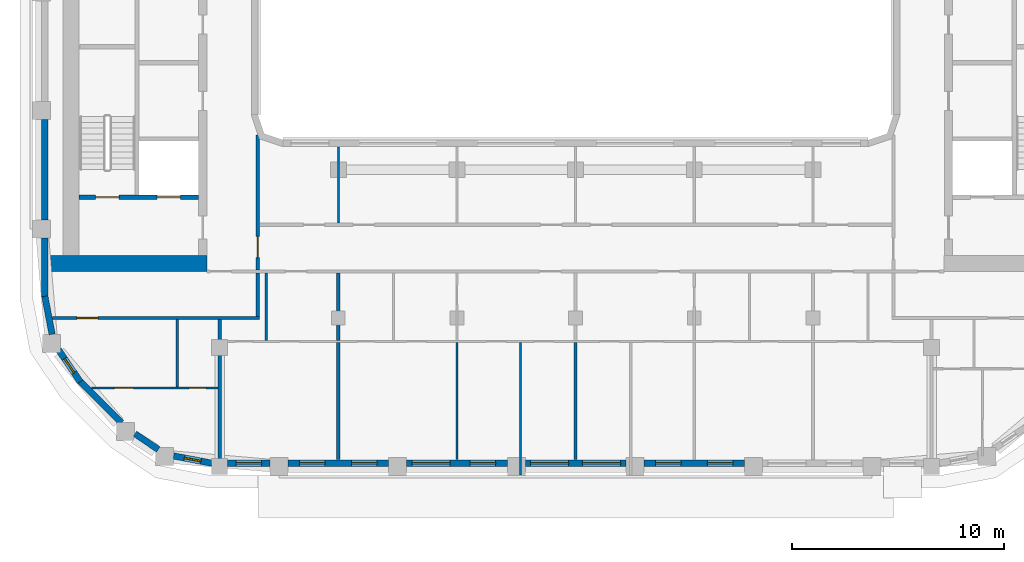
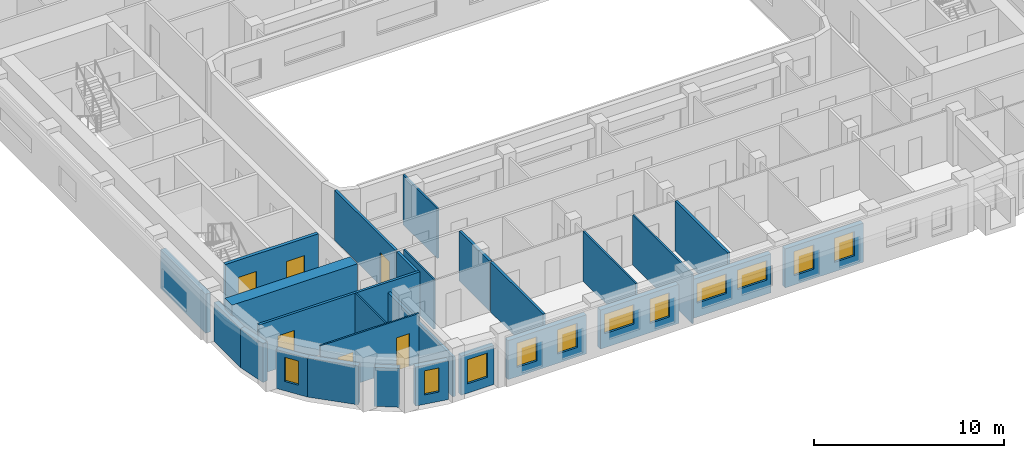
# One storey, part 2 of 21: 27 walls, 11 windows, 6 doors, 17 openings.
"""IFC4 building model written with IfcOpenShell, lengths in metres."""

from ifc_helpers import new_model, si_unit, direction, frame, frame_2d, origin, place, context, subcontext, project, spatial, rectangle, extrude, material, layer, layer_set, type_object, element, fill, save


model = new_model("IFC4")

# Units and contexts
model_context = context("Model", 3, precision=1e-05, world=origin(), true_north=direction((0.0, 1.0)))
body_context = subcontext(model_context, "Body", "Model", "MODEL_VIEW")
ifc_project = project(units=[si_unit("LENGTHUNIT", "METRE"), si_unit("AREAUNIT", "SQUARE_METRE"), si_unit("VOLUMEUNIT", "CUBIC_METRE"), si_unit("PLANEANGLEUNIT", "RADIAN"), si_unit("MASSUNIT", "GRAM", prefix="KILO")], contexts=[model_context])

# Site, building, storey
site_placement = place(None, origin())
site = spatial("IfcSite", under=ifc_project, at=site_placement, CompositionType="ELEMENT")
building_placement = place(site_placement, origin())
building = spatial("IfcBuilding", under=site, at=building_placement, Name="Kiln Ring Residences", CompositionType="ELEMENT")
storey_placement = place(building_placement, frame((0.0, 0.0, 216.89990234375)))
storey = spatial("IfcBuildingStorey", under=building, at=storey_placement, Name="L56", CompositionType="ELEMENT", Elevation=216.89990234375)

# Wall, openings, doors
ifc_material_1 = material(Name="Concrete C40/50", Category="concrete")
ifc_layer_1 = layer(ifc_material_1, 0.199951171875)
ifc_layer_set_1 = layer_set([ifc_layer_1], Name="CORE-WALL-RC200")
wall_type_1 = type_object("IfcWallType", Name="CORE-WALL-RC200", PredefinedType="SHEAR", material=ifc_layer_set_1)
wall_1_placement = place(storey_placement, frame((-17.800048828125, -9.699951171875, 0.0), z_axis=(0.0, 0.0, 1.0), x_axis=(-1.0, 0.0, 0.0)))
wall_1 = element("IfcWall", 1, at=wall_1_placement, inside=storey, type_object=wall_type_1, Name="Core wall west L56 8", PredefinedType="SHEAR", context=body_context, shape_type="SweptSolid", body=[
    extrude(rectangle(XDim=5.64990234375, YDim=0.199951171875, at=frame_2d((2.824951171875, 0.0))), origin(), (0.0, 0.0, 1.0), 3.2001953125),
])
opening_1_placement = place(wall_1_placement, frame((0.85009765625, 0.0, 0.0)))
opening_1 = element("IfcOpeningElement", 2, at=opening_1_placement, cuts=wall_1, Name="Opening L56-CW01", PredefinedType="OPENING", context=body_context, shape_type="SweptSolid", body=[
    extrude(rectangle(XDim=1.10009765625, YDim=2.10009765625, at=frame_2d((0.550048828125, 1.050048828125))), frame((0.0, 0.10986328125, 0.0), z_axis=(0.0, -1.0, 0.0), x_axis=(1.0, 0.0, 0.0)), (0.0, 0.0, 1.0), 0.219970703125),
])
opening_2_placement = place(wall_1_placement, frame((3.75, 0.0, 0.0)))
opening_2 = element("IfcOpeningElement", 3, at=opening_2_placement, cuts=wall_1, Name="Opening L56-CW10", PredefinedType="OPENING", context=body_context, shape_type="SweptSolid", body=[
    extrude(rectangle(XDim=1.10009765625, YDim=2.10009765625, at=frame_2d((0.550048828125, 1.050048828125))), frame((0.0, 0.10986328125, 0.0), z_axis=(0.0, -1.0, 0.0), x_axis=(1.0, 0.0, 0.0)), (0.0, 0.0, 1.0), 0.219970703125),
])
ifc_material_2 = material(Name="Steel door leaf", Category="steel")
door_type_1 = type_object("IfcDoorType", Name="CORE-DOOR-LD", OperationType="DOUBLE_DOOR_SLIDING", PredefinedType="DOOR", material=ifc_material_2)
door_1_placement = place(opening_1_placement, origin())
door_1 = element("IfcDoor", 4, at=door_1_placement, inside=storey, type_object=door_type_1, Name="LD W-SV L56-CW01", OperationType="DOUBLE_DOOR_SLIDING", OverallHeight=2.10009765625, OverallWidth=1.10009765625, PredefinedType="DOOR", context=body_context, shape_type="SweptSolid", body=[
    extrude(rectangle(XDim=1.10009765625, YDim=2.10009765625, at=frame_2d((0.550048828125, 1.050048828125))), frame((0.0, 0.02490234375, 0.0), z_axis=(0.0, -1.0, 0.0), x_axis=(1.0, 0.0, 0.0)), (0.0, 0.0, 1.0), 0.050048828125),
])
fill(opening_1, door_1)
ifc_material_3 = material(Name="Steel door leaf", Category="steel")
door_type_2 = type_object("IfcDoorType", Name="CORE-DOOR-STAIR", OperationType="SINGLE_SWING_LEFT", PredefinedType="DOOR", material=ifc_material_3)
door_2_placement = place(opening_2_placement, origin())
door_2 = element("IfcDoor", 5, at=door_2_placement, inside=storey, type_object=door_type_2, Name="Stair W-STS L56-CW10", OperationType="SINGLE_SWING_LEFT", OverallHeight=2.10009765625, OverallWidth=1.10009765625, PredefinedType="DOOR", context=body_context, shape_type="SweptSolid", body=[
    extrude(rectangle(XDim=1.10009765625, YDim=2.10009765625, at=frame_2d((0.550048828125, 1.050048828125))), frame((0.0, 0.02490234375, 0.0), z_axis=(0.0, -1.0, 0.0), x_axis=(1.0, 0.0, 0.0)), (0.0, 0.0, 1.0), 0.050048828125),
])
fill(opening_2, door_2)

# Walls
ifc_material_4 = material(Name="Concrete C60/75", Category="concrete")
ifc_layer_2 = layer(ifc_material_4, 0.75)
ifc_layer_set_2 = layer_set([ifc_layer_2], Name="CORE-WALL-RC750")
wall_type_2 = type_object("IfcWallType", Name="CORE-WALL-RC750", PredefinedType="SHEAR", material=ifc_layer_set_2)
wall_2_placement = place(storey_placement, frame((-17.39990234375, -12.824951171875, 0.0), z_axis=(0.0, 0.0, 1.0), x_axis=(-1.0, 0.0, 0.0)))
element("IfcWall", 6, at=wall_2_placement, inside=storey, type_object=wall_type_2, Name="Core wall west L56 5", PredefinedType="SHEAR", context=body_context, shape_type="SweptSolid", body=[
    extrude(rectangle(XDim=7.60009765625, YDim=0.75, at=frame_2d((3.800048828125, 0.0))), origin(), (0.0, 0.0, 1.0), 3.2001953125),
])
ifc_material_5 = material(Name="Brick masonry, dark clay brick", Category="masonry")
ifc_layer_3 = layer(ifc_material_5, 0.300048828125)
ifc_layer_set_3 = layer_set([ifc_layer_3], Name="EW-300 BRICK WALL")
wall_type_3 = type_object("IfcWallType", Name="EW-300 BRICK WALL", PredefinedType="SOLIDWALL", material=ifc_layer_set_3)
wall_3_placement = place(storey_placement, frame((-23.39697265625, -18.390869140625, 0.0), z_axis=(0.0, 0.0, 1.0), x_axis=(0.707106781187, -0.707106781187, 0.0)))
element("IfcWall", 7, at=wall_3_placement, inside=storey, type_object=wall_type_3, Name="Facade wall L56 1", PredefinedType="SOLIDWALL", context=body_context, shape_type="SweptSolid", body=[
    extrude(rectangle(XDim=2.775146484375, YDim=0.300048828125, at=frame_2d((1.3876953125, 0.0))), origin(), (0.0, 0.0, 1.0), 2.5),
])
wall_4_placement = place(storey_placement, frame((-20.7958984375, -20.862060546875, 0.0), z_axis=(0.0, 0.0, 1.0), x_axis=(0.827035970432, -0.562149004813, 0.0)))
element("IfcWall", 8, at=wall_4_placement, inside=storey, type_object=wall_type_3, Name="Facade wall L56 2", PredefinedType="SOLIDWALL", context=body_context, shape_type="SweptSolid", body=[
    extrude(rectangle(XDim=1.3271484375, YDim=0.300048828125, at=frame_2d((0.66357421875, 0.0))), origin(), (0.0, 0.0, 1.0), 2.5),
])

# Wall, opening, window
wall_5_placement = place(storey_placement, frame((-18.970703125, -21.90966796875, 0.0), z_axis=(0.0, 0.0, 1.0), x_axis=(0.982300037503, -0.187314271538, 0.0)))
wall_5 = element("IfcWall", 9, at=wall_5_placement, inside=storey, type_object=wall_type_3, Name="Facade wall L56 3", PredefinedType="SOLIDWALL", context=body_context, shape_type="SweptSolid", body=[
    extrude(rectangle(XDim=1.831298828125, YDim=0.300048828125, at=frame_2d((0.91552734375, 0.0))), origin(), (0.0, 0.0, 1.0), 2.5),
])
opening_3_placement = place(wall_5_placement, frame((0.515625, 0.0, 0.60009765625)))
opening_3 = element("IfcOpeningElement", 10, at=opening_3_placement, cuts=wall_5, Name="Opening W5", PredefinedType="OPENING", context=body_context, shape_type="SweptSolid", body=[
    extrude(rectangle(XDim=0.800048828125, YDim=1.550048828125, at=frame_2d((0.39990234375, 0.77490234375))), frame((0.0, 0.159912109375, 0.0), z_axis=(0.0, -1.0, 0.0), x_axis=(1.0, 0.0, 0.0)), (0.0, 0.0, 1.0), 0.320068359375),
])
ifc_material_6 = material(Name="Aluminium frame with double glazing", Category="aluminium")
window_type_1 = type_object("IfcWindowType", Name="WINDOW 800 x 1550", PartitioningType="SINGLE_PANEL", PredefinedType="WINDOW", material=ifc_material_6)
window_1_placement = place(opening_3_placement, origin())
window_1 = element("IfcWindow", 11, at=window_1_placement, inside=storey, type_object=window_type_1, Name="Window L56 1", OverallHeight=1.550048828125, OverallWidth=0.800048828125, PartitioningType="SINGLE_PANEL", PredefinedType="WINDOW", context=body_context, shape_type="SweptSolid", body=[
    extrude(rectangle(XDim=0.800048828125, YDim=1.550048828125, at=frame_2d((0.39990234375, 0.77490234375))), frame((0.0, 0.030029296875, 0.0), z_axis=(0.0, -1.0, 0.0), x_axis=(1.0, 0.0, 0.0)), (0.0, 0.0, 1.0), 0.06005859375),
])
fill(opening_3, window_1)

wall_6_placement = place(storey_placement, frame((-16.425048828125, -22.25, 0.0), z_axis=(0.0, 0.0, 1.0), x_axis=(1.0, 0.0, 0.0)))
wall_6 = element("IfcWall", 12, at=wall_6_placement, inside=storey, type_object=wall_type_3, Name="Facade wall L56 4", PredefinedType="SOLIDWALL", context=body_context, shape_type="SweptSolid", body=[
    extrude(rectangle(XDim=2.0, YDim=0.300048828125, at=frame_2d((1.0, 0.0))), origin(), (0.0, 0.0, 1.0), 2.5),
])
opening_4_placement = place(wall_6_placement, frame((0.39990234375, 0.0, 0.60009765625)))
opening_4 = element("IfcOpeningElement", 13, at=opening_4_placement, cuts=wall_6, Name="Opening W1", PredefinedType="OPENING", context=body_context, shape_type="SweptSolid", body=[
    extrude(rectangle(XDim=1.199951171875, YDim=1.550048828125, at=frame_2d((0.60009765625, 0.77490234375))), frame((0.0, 0.159912109375, 0.0), z_axis=(0.0, -1.0, 0.0), x_axis=(1.0, 0.0, 0.0)), (0.0, 0.0, 1.0), 0.320068359375),
])
ifc_material_7 = material(Name="Aluminium frame with double glazing", Category="aluminium")
window_type_2 = type_object("IfcWindowType", Name="WINDOW 1200 x 1550", PartitioningType="SINGLE_PANEL", PredefinedType="WINDOW", material=ifc_material_7)
window_2_placement = place(opening_4_placement, origin())
window_2 = element("IfcWindow", 14, at=window_2_placement, inside=storey, type_object=window_type_2, Name="Window L56 2", OverallHeight=1.550048828125, OverallWidth=1.199951171875, PartitioningType="SINGLE_PANEL", PredefinedType="WINDOW", context=body_context, shape_type="SweptSolid", body=[
    extrude(rectangle(XDim=1.199951171875, YDim=1.550048828125, at=frame_2d((0.60009765625, 0.77490234375))), frame((0.0, 0.030029296875, 0.0), z_axis=(0.0, -1.0, 0.0), x_axis=(1.0, 0.0, 0.0)), (0.0, 0.0, 1.0), 0.06005859375),
])
fill(opening_4, window_2)

# Wall, openings, windows
wall_7_placement = place(storey_placement, frame((-13.574951171875, -22.25, 0.0), z_axis=(0.0, 0.0, 1.0), x_axis=(1.0, 0.0, 0.0)))
wall_7 = element("IfcWall", 15, at=wall_7_placement, inside=storey, type_object=wall_type_3, Name="Facade wall L56 5", PredefinedType="SOLIDWALL", context=body_context, shape_type="SweptSolid", body=[
    extrude(rectangle(XDim=4.75, YDim=0.300048828125, at=frame_2d((2.375, 0.0))), origin(), (0.0, 0.0, 1.0), 2.5),
])
opening_5_placement = place(wall_7_placement, frame((0.550048828125, 0.0, 0.60009765625)))
opening_5 = element("IfcOpeningElement", 16, at=opening_5_placement, cuts=wall_7, Name="Opening W1", PredefinedType="OPENING", context=body_context, shape_type="SweptSolid", body=[
    extrude(rectangle(XDim=1.199951171875, YDim=1.550048828125, at=frame_2d((0.60009765625, 0.77490234375))), frame((0.0, 0.159912109375, 0.0), z_axis=(0.0, -1.0, 0.0), x_axis=(1.0, 0.0, 0.0)), (0.0, 0.0, 1.0), 0.320068359375),
])
opening_6_placement = place(wall_7_placement, frame((3.0, 0.0, 0.60009765625)))
opening_6 = element("IfcOpeningElement", 17, at=opening_6_placement, cuts=wall_7, Name="Opening W1", PredefinedType="OPENING", context=body_context, shape_type="SweptSolid", body=[
    extrude(rectangle(XDim=1.199951171875, YDim=1.550048828125, at=frame_2d((0.60009765625, 0.77490234375))), frame((0.0, 0.159912109375, 0.0), z_axis=(0.0, -1.0, 0.0), x_axis=(1.0, 0.0, 0.0)), (0.0, 0.0, 1.0), 0.320068359375),
])
window_3_placement = place(opening_5_placement, origin())
window_3 = element("IfcWindow", 18, at=window_3_placement, inside=storey, type_object=window_type_2, Name="Window L56 3", OverallHeight=1.550048828125, OverallWidth=1.199951171875, PartitioningType="SINGLE_PANEL", PredefinedType="WINDOW", context=body_context, shape_type="SweptSolid", body=[
    extrude(rectangle(XDim=1.199951171875, YDim=1.550048828125, at=frame_2d((0.60009765625, 0.77490234375))), frame((0.0, 0.030029296875, 0.0), z_axis=(0.0, -1.0, 0.0), x_axis=(1.0, 0.0, 0.0)), (0.0, 0.0, 1.0), 0.06005859375),
])
fill(opening_5, window_3)
window_4_placement = place(opening_6_placement, origin())
window_4 = element("IfcWindow", 19, at=window_4_placement, inside=storey, type_object=window_type_2, Name="Window L56 4", OverallHeight=1.550048828125, OverallWidth=1.199951171875, PartitioningType="SINGLE_PANEL", PredefinedType="WINDOW", context=body_context, shape_type="SweptSolid", body=[
    extrude(rectangle(XDim=1.199951171875, YDim=1.550048828125, at=frame_2d((0.60009765625, 0.77490234375))), frame((0.0, 0.030029296875, 0.0), z_axis=(0.0, -1.0, 0.0), x_axis=(1.0, 0.0, 0.0)), (0.0, 0.0, 1.0), 0.06005859375),
])
fill(opening_6, window_4)

wall_8_placement = place(storey_placement, frame((-7.97509765625, -22.25, 0.0), z_axis=(0.0, 0.0, 1.0), x_axis=(1.0, 0.0, 0.0)))
wall_8 = element("IfcWall", 20, at=wall_8_placement, inside=storey, type_object=wall_type_3, Name="Facade wall L56 6", PredefinedType="SOLIDWALL", context=body_context, shape_type="SweptSolid", body=[
    extrude(rectangle(XDim=4.75, YDim=0.300048828125, at=frame_2d((2.375, 0.0))), origin(), (0.0, 0.0, 1.0), 2.5),
])
opening_7_placement = place(wall_8_placement, frame((0.25, 0.0, 0.89990234375)))
opening_7 = element("IfcOpeningElement", 21, at=opening_7_placement, cuts=wall_8, Name="Opening W2", PredefinedType="OPENING", context=body_context, shape_type="SweptSolid", body=[
    extrude(rectangle(XDim=1.800048828125, YDim=1.25, at=frame_2d((0.89990234375, 0.625))), frame((0.0, 0.159912109375, 0.0), z_axis=(0.0, -1.0, 0.0), x_axis=(1.0, 0.0, 0.0)), (0.0, 0.0, 1.0), 0.320068359375),
])
opening_8_placement = place(wall_8_placement, frame((3.0, 0.0, 0.60009765625)))
opening_8 = element("IfcOpeningElement", 22, at=opening_8_placement, cuts=wall_8, Name="Opening W1", PredefinedType="OPENING", context=body_context, shape_type="SweptSolid", body=[
    extrude(rectangle(XDim=1.199951171875, YDim=1.550048828125, at=frame_2d((0.60009765625, 0.77490234375))), frame((0.0, 0.159912109375, 0.0), z_axis=(0.0, -1.0, 0.0), x_axis=(1.0, 0.0, 0.0)), (0.0, 0.0, 1.0), 0.320068359375),
])
window_5_placement = place(opening_8_placement, origin())
window_5 = element("IfcWindow", 23, at=window_5_placement, inside=storey, type_object=window_type_2, Name="Window L56 6", OverallHeight=1.550048828125, OverallWidth=1.199951171875, PartitioningType="SINGLE_PANEL", PredefinedType="WINDOW", context=body_context, shape_type="SweptSolid", body=[
    extrude(rectangle(XDim=1.199951171875, YDim=1.550048828125, at=frame_2d((0.60009765625, 0.77490234375))), frame((0.0, 0.030029296875, 0.0), z_axis=(0.0, -1.0, 0.0), x_axis=(1.0, 0.0, 0.0)), (0.0, 0.0, 1.0), 0.06005859375),
])
fill(opening_8, window_5)
ifc_material_8 = material(Name="Aluminium frame with double glazing", Category="aluminium")
window_type_3 = type_object("IfcWindowType", Name="WINDOW 1800 x 1250", PartitioningType="SINGLE_PANEL", PredefinedType="WINDOW", material=ifc_material_8)
window_6_placement = place(opening_7_placement, origin())
window_6 = element("IfcWindow", 24, at=window_6_placement, inside=storey, type_object=window_type_3, Name="Window L56 5", OverallHeight=1.25, OverallWidth=1.800048828125, PartitioningType="SINGLE_PANEL", PredefinedType="WINDOW", context=body_context, shape_type="SweptSolid", body=[
    extrude(rectangle(XDim=1.800048828125, YDim=1.25, at=frame_2d((0.89990234375, 0.625))), frame((0.0, 0.030029296875, 0.0), z_axis=(0.0, -1.0, 0.0), x_axis=(1.0, 0.0, 0.0)), (0.0, 0.0, 1.0), 0.06005859375),
])
fill(opening_7, window_6)

wall_9_placement = place(storey_placement, frame((-2.375, -22.25, 0.0), z_axis=(0.0, 0.0, 1.0), x_axis=(1.0, 0.0, 0.0)))
wall_9 = element("IfcWall", 25, at=wall_9_placement, inside=storey, type_object=wall_type_3, Name="Facade wall L56 7", PredefinedType="SOLIDWALL", context=body_context, shape_type="SweptSolid", body=[
    extrude(rectangle(XDim=4.75, YDim=0.300048828125, at=frame_2d((2.375, 0.0))), origin(), (0.0, 0.0, 1.0), 2.5),
])
opening_9_placement = place(wall_9_placement, frame((0.25, 0.0, 0.89990234375)))
opening_9 = element("IfcOpeningElement", 26, at=opening_9_placement, cuts=wall_9, Name="Opening W2", PredefinedType="OPENING", context=body_context, shape_type="SweptSolid", body=[
    extrude(rectangle(XDim=1.800048828125, YDim=1.25, at=frame_2d((0.89990234375, 0.625))), frame((0.0, 0.159912109375, 0.0), z_axis=(0.0, -1.0, 0.0), x_axis=(1.0, 0.0, 0.0)), (0.0, 0.0, 1.0), 0.320068359375),
])
opening_10_placement = place(wall_9_placement, frame((2.699951171875, 0.0, 0.89990234375)))
opening_10 = element("IfcOpeningElement", 27, at=opening_10_placement, cuts=wall_9, Name="Opening W2", PredefinedType="OPENING", context=body_context, shape_type="SweptSolid", body=[
    extrude(rectangle(XDim=1.800048828125, YDim=1.25, at=frame_2d((0.89990234375, 0.625))), frame((0.0, 0.159912109375, 0.0), z_axis=(0.0, -1.0, 0.0), x_axis=(1.0, 0.0, 0.0)), (0.0, 0.0, 1.0), 0.320068359375),
])
window_7_placement = place(opening_9_placement, origin())
window_7 = element("IfcWindow", 28, at=window_7_placement, inside=storey, type_object=window_type_3, Name="Window L56 7", OverallHeight=1.25, OverallWidth=1.800048828125, PartitioningType="SINGLE_PANEL", PredefinedType="WINDOW", context=body_context, shape_type="SweptSolid", body=[
    extrude(rectangle(XDim=1.800048828125, YDim=1.25, at=frame_2d((0.89990234375, 0.625))), frame((0.0, 0.030029296875, 0.0), z_axis=(0.0, -1.0, 0.0), x_axis=(1.0, 0.0, 0.0)), (0.0, 0.0, 1.0), 0.06005859375),
])
fill(opening_9, window_7)
window_8_placement = place(opening_10_placement, origin())
window_8 = element("IfcWindow", 29, at=window_8_placement, inside=storey, type_object=window_type_3, Name="Window L56 8", OverallHeight=1.25, OverallWidth=1.800048828125, PartitioningType="SINGLE_PANEL", PredefinedType="WINDOW", context=body_context, shape_type="SweptSolid", body=[
    extrude(rectangle(XDim=1.800048828125, YDim=1.25, at=frame_2d((0.89990234375, 0.625))), frame((0.0, 0.030029296875, 0.0), z_axis=(0.0, -1.0, 0.0), x_axis=(1.0, 0.0, 0.0)), (0.0, 0.0, 1.0), 0.06005859375),
])
fill(opening_10, window_8)

wall_10_placement = place(storey_placement, frame((3.22509765625, -22.25, 0.0), z_axis=(0.0, 0.0, 1.0), x_axis=(1.0, 0.0, 0.0)))
wall_10 = element("IfcWall", 30, at=wall_10_placement, inside=storey, type_object=wall_type_3, Name="Facade wall L56 8", PredefinedType="SOLIDWALL", context=body_context, shape_type="SweptSolid", body=[
    extrude(rectangle(XDim=4.75, YDim=0.300048828125, at=frame_2d((2.375, 0.0))), origin(), (0.0, 0.0, 1.0), 2.5),
])
opening_11_placement = place(wall_10_placement, frame((0.550048828125, 0.0, 0.60009765625)))
opening_11 = element("IfcOpeningElement", 31, at=opening_11_placement, cuts=wall_10, Name="Opening W1", PredefinedType="OPENING", context=body_context, shape_type="SweptSolid", body=[
    extrude(rectangle(XDim=1.199951171875, YDim=1.550048828125, at=frame_2d((0.60009765625, 0.77490234375))), frame((0.0, 0.159912109375, 0.0), z_axis=(0.0, -1.0, 0.0), x_axis=(1.0, 0.0, 0.0)), (0.0, 0.0, 1.0), 0.320068359375),
])
opening_12_placement = place(wall_10_placement, frame((3.0, 0.0, 0.60009765625)))
opening_12 = element("IfcOpeningElement", 32, at=opening_12_placement, cuts=wall_10, Name="Opening W1", PredefinedType="OPENING", context=body_context, shape_type="SweptSolid", body=[
    extrude(rectangle(XDim=1.199951171875, YDim=1.550048828125, at=frame_2d((0.60009765625, 0.77490234375))), frame((0.0, 0.159912109375, 0.0), z_axis=(0.0, -1.0, 0.0), x_axis=(1.0, 0.0, 0.0)), (0.0, 0.0, 1.0), 0.320068359375),
])
window_9_placement = place(opening_11_placement, origin())
window_9 = element("IfcWindow", 33, at=window_9_placement, inside=storey, type_object=window_type_2, Name="Window L56 9", OverallHeight=1.550048828125, OverallWidth=1.199951171875, PartitioningType="SINGLE_PANEL", PredefinedType="WINDOW", context=body_context, shape_type="SweptSolid", body=[
    extrude(rectangle(XDim=1.199951171875, YDim=1.550048828125, at=frame_2d((0.60009765625, 0.77490234375))), frame((0.0, 0.030029296875, 0.0), z_axis=(0.0, -1.0, 0.0), x_axis=(1.0, 0.0, 0.0)), (0.0, 0.0, 1.0), 0.06005859375),
])
fill(opening_11, window_9)
window_10_placement = place(opening_12_placement, origin())
window_10 = element("IfcWindow", 34, at=window_10_placement, inside=storey, type_object=window_type_2, Name="Window L56 10", OverallHeight=1.550048828125, OverallWidth=1.199951171875, PartitioningType="SINGLE_PANEL", PredefinedType="WINDOW", context=body_context, shape_type="SweptSolid", body=[
    extrude(rectangle(XDim=1.199951171875, YDim=1.550048828125, at=frame_2d((0.60009765625, 0.77490234375))), frame((0.0, 0.030029296875, 0.0), z_axis=(0.0, -1.0, 0.0), x_axis=(1.0, 0.0, 0.0)), (0.0, 0.0, 1.0), 0.06005859375),
])
fill(opening_12, window_10)

# Walls
wall_11_placement = place(storey_placement, frame((-25.050048828125, -6.02490234375, 0.0), z_axis=(0.0, 0.0, 1.0), x_axis=(0.0, -1.0, 0.0)))
element("IfcWall", 35, at=wall_11_placement, inside=storey, type_object=wall_type_3, Name="Facade wall L56 43", PredefinedType="SOLIDWALL", context=body_context, shape_type="SweptSolid", body=[
    extrude(rectangle(XDim=4.75, YDim=0.300048828125, at=frame_2d((2.375, 0.0))), origin(), (0.0, 0.0, 1.0), 2.5),
])
wall_12_placement = place(storey_placement, frame((-25.050048828125, -11.625, 0.0), z_axis=(0.0, 0.0, 1.0), x_axis=(0.0, -1.0, 0.0)))
element("IfcWall", 36, at=wall_12_placement, inside=storey, type_object=wall_type_3, Name="Facade wall L56 44", PredefinedType="SOLIDWALL", context=body_context, shape_type="SweptSolid", body=[
    extrude(rectangle(XDim=2.77490234375, YDim=0.300048828125, at=frame_2d((1.387451171875, 0.0))), origin(), (0.0, 0.0, 1.0), 2.5),
])
wall_13_placement = place(storey_placement, frame((-25.052734375, -14.371826171875, 0.0), z_axis=(0.0, 0.0, 1.0), x_axis=(0.187442908742, -0.982275499014, 0.0)))
element("IfcWall", 37, at=wall_13_placement, inside=storey, type_object=wall_type_3, Name="Facade wall L56 45", PredefinedType="SOLIDWALL", context=body_context, shape_type="SweptSolid", body=[
    extrude(rectangle(XDim=1.831298828125, YDim=0.300048828125, at=frame_2d((0.91552734375, 0.0))), origin(), (0.0, 0.0, 1.0), 2.5),
])

# Wall, opening, window
wall_14_placement = place(storey_placement, frame((-24.408203125, -16.898193359375, 0.0), z_axis=(0.0, 0.0, 1.0), x_axis=(0.562062033417, -0.827095079535, 0.0)))
wall_14 = element("IfcWall", 38, at=wall_14_placement, inside=storey, type_object=wall_type_3, Name="Facade wall L56 46", PredefinedType="SOLIDWALL", context=body_context, shape_type="SweptSolid", body=[
    extrude(rectangle(XDim=1.831298828125, YDim=0.300048828125, at=frame_2d((0.91552734375, 0.0))), origin(), (0.0, 0.0, 1.0), 2.5),
])
opening_13_placement = place(wall_14_placement, frame((0.515625, 0.0, 0.60009765625)))
opening_13 = element("IfcOpeningElement", 39, at=opening_13_placement, cuts=wall_14, Name="Opening W5", PredefinedType="OPENING", context=body_context, shape_type="SweptSolid", body=[
    extrude(rectangle(XDim=0.800048828125, YDim=1.550048828125, at=frame_2d((0.39990234375, 0.77490234375))), frame((0.0, 0.159912109375, 0.0), z_axis=(0.0, -1.0, 0.0), x_axis=(1.0, 0.0, 0.0)), (0.0, 0.0, 1.0), 0.320068359375),
])
window_11_placement = place(opening_13_placement, origin())
window_11 = element("IfcWindow", 40, at=window_11_placement, inside=storey, type_object=window_type_1, Name="Window L56 34", OverallHeight=1.550048828125, OverallWidth=0.800048828125, PartitioningType="SINGLE_PANEL", PredefinedType="WINDOW", context=body_context, shape_type="SweptSolid", body=[
    extrude(rectangle(XDim=0.800048828125, YDim=1.550048828125, at=frame_2d((0.39990234375, 0.77490234375))), frame((0.0, 0.030029296875, 0.0), z_axis=(0.0, -1.0, 0.0), x_axis=(1.0, 0.0, 0.0)), (0.0, 0.0, 1.0), 0.06005859375),
])
fill(opening_13, window_11)

# Wall, openings, doors
ifc_material_9 = material(Name="Gypsum board on steel studs", Category="steel")
ifc_layer_4 = layer(ifc_material_9, 0.10009765625)
ifc_layer_set_4 = layer_set([ifc_layer_4], Name="PARTITION-100")
wall_type_4 = type_object("IfcWallType", Name="PARTITION-100", PredefinedType="PARTITIONING", material=ifc_layer_set_4)
wall_15_placement = place(storey_placement, frame((-22.855712890625, -18.699951171875, 0.0), z_axis=(0.0, 0.0, 1.0), x_axis=(1.0, 0.0, 0.0)))
wall_15 = element("IfcWall", 41, at=wall_15_placement, inside=storey, type_object=wall_type_4, Name="Partition 000", PredefinedType="PARTITIONING", context=body_context, shape_type="SweptSolid", body=[
    extrude(rectangle(XDim=5.980712890625, YDim=0.10009765625, at=frame_2d((2.990234375, 0.0))), origin(), (0.0, 0.0, 1.0), 3.2001953125),
])
opening_14_placement = place(wall_15_placement, frame((4.605712890625, 0.0, 0.0)))
opening_14 = element("IfcOpeningElement", 42, at=opening_14_placement, cuts=wall_15, Name="Opening L56-D066", PredefinedType="OPENING", context=body_context, shape_type="SweptSolid", body=[
    extrude(rectangle(XDim=0.800048828125, YDim=2.10009765625, at=frame_2d((0.39990234375, 1.050048828125))), frame((0.0, 0.06005859375, 0.0), z_axis=(0.0, -1.0, 0.0), x_axis=(1.0, 0.0, 0.0)), (0.0, 0.0, 1.0), 0.1201171875),
])
opening_15_placement = place(wall_15_placement, frame((1.083740234375, 0.0, 0.0)))
opening_15 = element("IfcOpeningElement", 43, at=opening_15_placement, cuts=wall_15, Name="Opening L56-D067", PredefinedType="OPENING", context=body_context, shape_type="SweptSolid", body=[
    extrude(rectangle(XDim=0.89990234375, YDim=2.10009765625, at=frame_2d((0.449951171875, 1.050048828125))), frame((0.0, 0.06005859375, 0.0), z_axis=(0.0, -1.0, 0.0), x_axis=(1.0, 0.0, 0.0)), (0.0, 0.0, 1.0), 0.1201171875),
])
ifc_material_10 = material(Name="Timber door leaf", Category="wood")
door_type_3 = type_object("IfcDoorType", Name="FLAT-DOOR-800-PL", OperationType="SINGLE_SWING_LEFT", PredefinedType="DOOR", material=ifc_material_10)
door_3_placement = place(opening_14_placement, origin())
door_3 = element("IfcDoor", 44, at=door_3_placement, inside=storey, type_object=door_type_3, Name="Door L56-D066", OperationType="SINGLE_SWING_RIGHT", OverallHeight=2.10009765625, OverallWidth=0.800048828125, PredefinedType="DOOR", context=body_context, shape_type="SweptSolid", body=[
    extrude(rectangle(XDim=0.800048828125, YDim=2.10009765625, at=frame_2d((0.39990234375, 1.050048828125))), frame((0.0, 0.02490234375, 0.0), z_axis=(0.0, -1.0, 0.0), x_axis=(1.0, 0.0, 0.0)), (0.0, 0.0, 1.0), 0.050048828125),
])
fill(opening_14, door_3)
ifc_material_11 = material(Name="Timber door leaf", Category="wood")
door_type_4 = type_object("IfcDoorType", Name="FLAT-DOOR-900-PL", OperationType="SINGLE_SWING_LEFT", PredefinedType="DOOR", material=ifc_material_11)
door_4_placement = place(opening_15_placement, origin())
door_4 = element("IfcDoor", 45, at=door_4_placement, inside=storey, type_object=door_type_4, Name="Door L56-D067", OperationType="SINGLE_SWING_LEFT", OverallHeight=2.10009765625, OverallWidth=0.89990234375, PredefinedType="DOOR", context=body_context, shape_type="SweptSolid", body=[
    extrude(rectangle(XDim=0.89990234375, YDim=2.10009765625, at=frame_2d((0.449951171875, 1.050048828125))), frame((0.0, 0.02490234375, 0.0), z_axis=(0.0, -1.0, 0.0), x_axis=(1.0, 0.0, 0.0)), (0.0, 0.0, 1.0), 0.050048828125),
])
fill(opening_15, door_4)

# Walls
wall_16_placement = place(storey_placement, frame((-18.800048828125, -18.64990234375, 0.0), z_axis=(0.0, 0.0, 1.0), x_axis=(0.0, 1.0, 0.0)))
element("IfcWall", 46, at=wall_16_placement, inside=storey, type_object=wall_type_4, Name="Partition 015", PredefinedType="PARTITIONING", context=body_context, shape_type="SweptSolid", body=[
    extrude(rectangle(XDim=3.1748046875, YDim=0.10009765625, at=frame_2d((1.58740234375, 0.0))), origin(), (0.0, 0.0, 1.0), 3.2001953125),
])
wall_17_placement = place(storey_placement, frame((-14.60009765625, -16.449951171875, 0.0), z_axis=(0.0, 0.0, 1.0), x_axis=(0.0, 1.0, 0.0)))
element("IfcWall", 47, at=wall_17_placement, inside=storey, type_object=wall_type_4, Name="Partition 022", PredefinedType="PARTITIONING", context=body_context, shape_type="SweptSolid", body=[
    extrude(rectangle(XDim=3.175048828125, YDim=0.10009765625, at=frame_2d((1.58740234375, 0.0))), origin(), (0.0, 0.0, 1.0), 3.2001953125),
])
wall_18_placement = place(storey_placement, frame((-11.199951171875, -10.925048828125, 0.0), z_axis=(0.0, 0.0, 1.0), x_axis=(0.0, 1.0, 0.0)))
element("IfcWall", 48, at=wall_18_placement, inside=storey, type_object=wall_type_4, Name="Partition 023", PredefinedType="PARTITIONING", context=body_context, shape_type="SweptSolid", body=[
    extrude(rectangle(XDim=3.60498046875, YDim=0.10009765625, at=frame_2d((1.802490234375, 0.0))), origin(), (0.0, 0.0, 1.0), 3.2001953125),
])
wall_19_placement = place(storey_placement, frame((-5.60009765625, -22.080078125, 0.0), z_axis=(0.0, 0.0, 1.0), x_axis=(0.0, 1.0, 0.0)))
element("IfcWall", 49, at=wall_19_placement, inside=storey, type_object=wall_type_4, Name="Partition 030", PredefinedType="PARTITIONING", context=body_context, shape_type="SweptSolid", body=[
    extrude(rectangle(XDim=5.530029296875, YDim=0.10009765625, at=frame_2d((2.76513671875, 0.0))), origin(), (0.0, 0.0, 1.0), 3.2001953125),
])
wall_20_placement = place(storey_placement, frame((-2.60009765625, -22.804931640625, 0.0), z_axis=(0.0, 0.0, 1.0), x_axis=(0.0, 1.0, 0.0)))
element("IfcWall", 50, at=wall_20_placement, inside=storey, type_object=wall_type_4, Name="Partition 036", PredefinedType="PARTITIONING", context=body_context, shape_type="SweptSolid", body=[
    extrude(rectangle(XDim=6.2548828125, YDim=0.10009765625, at=frame_2d((3.12744140625, 0.0))), origin(), (0.0, 0.0, 1.0), 3.2001953125),
])

# Wall, opening, door
ifc_material_12 = material(Name="Brick masonry partition", Category="masonry")
ifc_layer_5 = layer(ifc_material_12, 0.14990234375)
ifc_layer_set_5 = layer_set([ifc_layer_5], Name="PARTITION-150-ei60")
wall_type_5 = type_object("IfcWallType", Name="PARTITION-150-ei60", PredefinedType="PARTITIONING", material=ifc_layer_set_5)
wall_21_placement = place(storey_placement, frame((-24.683837890625, -15.39990234375, 0.0), z_axis=(0.0, 0.0, 1.0), x_axis=(1.0, 0.0, 0.0)))
wall_21 = element("IfcWall", 51, at=wall_21_placement, inside=storey, type_object=wall_type_5, Name="Partition 003", PredefinedType="PARTITIONING", context=body_context, shape_type="SweptSolid", body=[
    extrude(rectangle(XDim=9.7587890625, YDim=0.14990234375, at=frame_2d((4.87939453125, 0.0))), origin(), (0.0, 0.0, 1.0), 3.2001953125),
])
opening_16_placement = place(wall_21_placement, frame((1.142822265625, 0.0, 0.0)))
opening_16 = element("IfcOpeningElement", 52, at=opening_16_placement, cuts=wall_21, Name="Opening L56-D065", PredefinedType="OPENING", context=body_context, shape_type="SweptSolid", body=[
    extrude(rectangle(XDim=1.0, YDim=2.10009765625, at=frame_2d((0.5, 1.050048828125))), frame((0.0, 0.0849609375, 0.0), z_axis=(0.0, -1.0, 0.0), x_axis=(1.0, 0.0, 0.0)), (0.0, 0.0, 1.0), 0.169921875),
])
ifc_material_13 = material(Name="Steel faced fire door leaf", Category="steel")
door_type_5 = type_object("IfcDoorType", Name="FLAT-DOOR-1000-FR", OperationType="SINGLE_SWING_LEFT", PredefinedType="DOOR", material=ifc_material_13)
door_5_placement = place(opening_16_placement, origin())
door_5 = element("IfcDoor", 53, at=door_5_placement, inside=storey, type_object=door_type_5, Name="Door L56-D065", OperationType="SINGLE_SWING_LEFT", OverallHeight=2.10009765625, OverallWidth=1.0, PredefinedType="DOOR", context=body_context, shape_type="SweptSolid", body=[
    extrude(rectangle(XDim=1.0, YDim=2.10009765625, at=frame_2d((0.5, 1.050048828125))), frame((0.0, 0.02490234375, 0.0), z_axis=(0.0, -1.0, 0.0), x_axis=(1.0, 0.0, 0.0)), (0.0, 0.0, 1.0), 0.050048828125),
])
fill(opening_16, door_5)

# Walls
wall_22_placement = place(storey_placement, frame((-16.800048828125, -22.31005859375, 0.0), z_axis=(0.0, 0.0, 1.0), x_axis=(0.0, 1.0, 0.0)))
element("IfcWall", 54, at=wall_22_placement, inside=storey, type_object=wall_type_5, Name="Partition 016", PredefinedType="PARTITIONING", context=body_context, shape_type="SweptSolid", body=[
    extrude(rectangle(XDim=6.8349609375, YDim=0.14990234375, at=frame_2d((3.41748046875, 0.0))), origin(), (0.0, 0.0, 1.0), 2.550048828125),
])
wall_23_placement = place(storey_placement, frame((-15.0, -15.324951171875, 0.0), z_axis=(0.0, 0.0, 1.0), x_axis=(0.0, 1.0, 0.0)))
element("IfcWall", 55, at=wall_23_placement, inside=storey, type_object=wall_type_5, Name="Partition 018", PredefinedType="PARTITIONING", context=body_context, shape_type="SweptSolid", body=[
    extrude(rectangle(XDim=2.050048828125, YDim=0.14990234375, at=frame_2d((1.02490234375, 0.0))), origin(), (0.0, 0.0, 1.0), 3.2001953125),
])

# Wall, opening, door
wall_24_placement = place(storey_placement, frame((-15.0, -13.125, 0.0), z_axis=(0.0, 0.0, 1.0), x_axis=(0.0, 1.0, 0.0)))
wall_24 = element("IfcWall", 56, at=wall_24_placement, inside=storey, type_object=wall_type_5, Name="Partition 019", PredefinedType="PARTITIONING", context=body_context, shape_type="SweptSolid", body=[
    extrude(rectangle(XDim=6.356201171875, YDim=0.14990234375, at=frame_2d((3.17822265625, 0.0))), origin(), (0.0, 0.0, 1.0), 3.2001953125),
])
opening_17_placement = place(wall_24_placement, frame((0.574951171875, 0.0, 0.0)))
opening_17 = element("IfcOpeningElement", 57, at=opening_17_placement, cuts=wall_24, Name="Opening L56-D005", PredefinedType="OPENING", context=body_context, shape_type="SweptSolid", body=[
    extrude(rectangle(XDim=1.0, YDim=2.10009765625, at=frame_2d((0.5, 1.050048828125))), frame((0.0, 0.0849609375, 0.0), z_axis=(0.0, -1.0, 0.0), x_axis=(1.0, 0.0, 0.0)), (0.0, 0.0, 1.0), 0.169921875),
])
door_6_placement = place(opening_17_placement, origin())
door_6 = element("IfcDoor", 58, at=door_6_placement, inside=storey, type_object=door_type_5, Name="Door L56-D005", OperationType="SINGLE_SWING_RIGHT", OverallHeight=2.10009765625, OverallWidth=1.0, PredefinedType="DOOR", context=body_context, shape_type="SweptSolid", body=[
    extrude(rectangle(XDim=1.0, YDim=2.10009765625, at=frame_2d((0.5, 1.050048828125))), frame((0.0, 0.02490234375, 0.0), z_axis=(0.0, -1.0, 0.0), x_axis=(1.0, 0.0, 0.0)), (0.0, 0.0, 1.0), 0.050048828125),
])
fill(opening_17, door_6)

# Walls
wall_25_placement = place(storey_placement, frame((-11.199951171875, -22.080078125, 0.0), z_axis=(0.0, 0.0, 1.0), x_axis=(0.0, 1.0, 0.0)))
element("IfcWall", 59, at=wall_25_placement, inside=storey, type_object=wall_type_5, Name="Partition 027", PredefinedType="PARTITIONING", context=body_context, shape_type="SweptSolid", body=[
    extrude(rectangle(XDim=5.530029296875, YDim=0.14990234375, at=frame_2d((2.76513671875, 0.0))), origin(), (0.0, 0.0, 1.0), 3.2001953125),
])
wall_26_placement = place(storey_placement, frame((-11.199951171875, -16.449951171875, 0.0), z_axis=(0.0, 0.0, 1.0), x_axis=(0.0, 1.0, 0.0)))
element("IfcWall", 60, at=wall_26_placement, inside=storey, type_object=wall_type_5, Name="Partition 028", PredefinedType="PARTITIONING", context=body_context, shape_type="SweptSolid", body=[
    extrude(rectangle(XDim=3.175048828125, YDim=0.14990234375, at=frame_2d((1.58740234375, 0.0))), origin(), (0.0, 0.0, 1.0), 3.2001953125),
])
wall_27_placement = place(storey_placement, frame((0.0, -22.080078125, 0.0), z_axis=(0.0, 0.0, 1.0), x_axis=(0.0, 1.0, 0.0)))
element("IfcWall", 61, at=wall_27_placement, inside=storey, type_object=wall_type_5, Name="Partition 039", PredefinedType="PARTITIONING", context=body_context, shape_type="SweptSolid", body=[
    extrude(rectangle(XDim=5.530029296875, YDim=0.14990234375, at=frame_2d((2.76513671875, 0.0))), origin(), (0.0, 0.0, 1.0), 3.2001953125),
])

save(model, "model.ifc")
